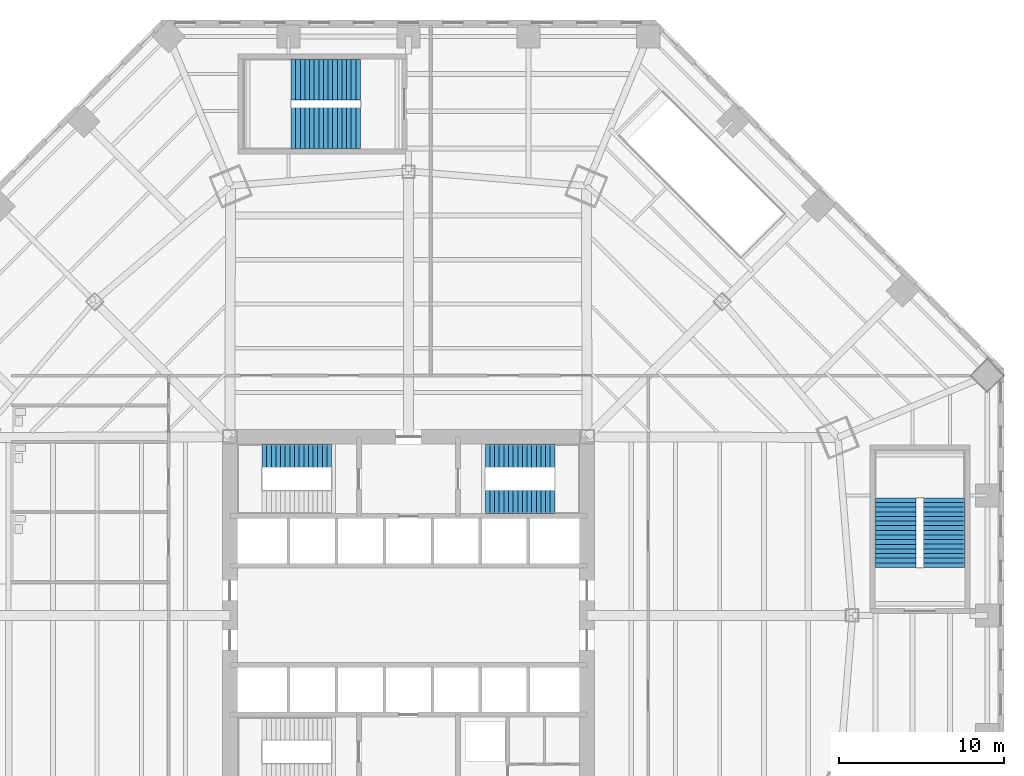
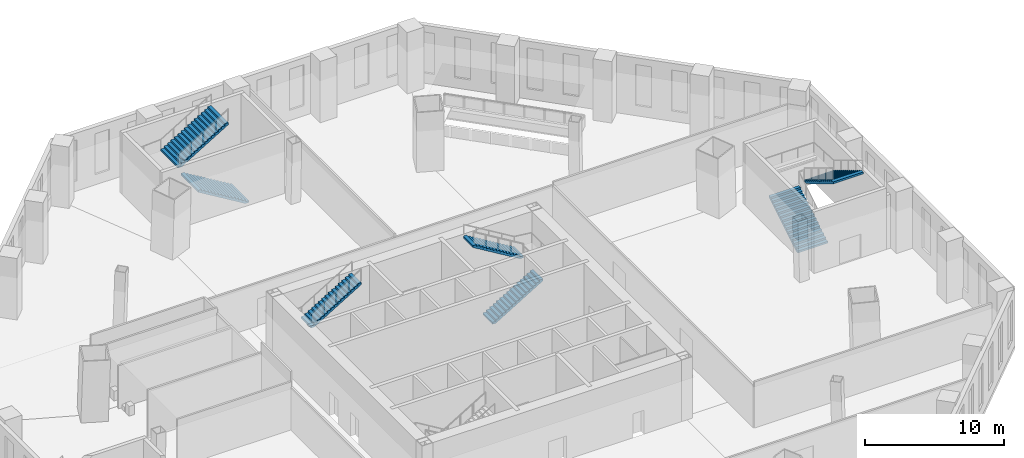
# One storey, part 14 of 18: 7 stair flights, 4 elements without a shape of their own.
"""IFC4 building model written with IfcOpenShell, lengths in metres."""

from ifc_helpers import new_model, si_unit, direction, frame, origin, place, context, subcontext, project, spatial, polyline, outline, extrude, material, type_object, element, aggregate, save


model = new_model("IFC4")

# Units and contexts
model_context = context("Model", 3, precision=1e-05, world=origin(), true_north=direction((0.0, 1.0)))
body_context = subcontext(model_context, "Body", "Model", "MODEL_VIEW")
ifc_project = project(units=[si_unit("LENGTHUNIT", "METRE"), si_unit("AREAUNIT", "SQUARE_METRE"), si_unit("VOLUMEUNIT", "CUBIC_METRE"), si_unit("PLANEANGLEUNIT", "RADIAN"), si_unit("MASSUNIT", "GRAM", prefix="KILO")], contexts=[model_context])

# Site, building, storey
site_placement = place(None, origin())
site = spatial("IfcSite", under=ifc_project, at=site_placement, CompositionType="ELEMENT")
building_placement = place(site_placement, origin())
building = spatial("IfcBuilding", under=site, at=building_placement, Name="Mashrafa Tower", CompositionType="ELEMENT")
storey_placement = place(building_placement, frame((0.0, 0.0, 13.199951171875)))
storey = spatial("IfcBuildingStorey", under=building, at=storey_placement, Name="L02", CompositionType="ELEMENT", Elevation=13.199951171875)

# Stair, stair flight
ifc_material_1 = material(Name="Exit stair 1400")
stair_type_1 = type_object("IfcStairType", Name="Exit stair 1400", PredefinedType="HALF_TURN_STAIR", material=ifc_material_1)
stair_1_placement = place(storey_placement, origin())
stair_1 = element("IfcStair", 1, at=stair_1_placement, inside=storey, type_object=stair_type_1, Name="Stair S1 L02", PredefinedType="HALF_TURN_STAIR")
ifc_material_2 = material(Name="Concrete C32/40", Category="concrete")
stair_flight_type_1 = type_object("IfcStairFlightType", Name="Stair flight 1400", PredefinedType="STRAIGHT", material=ifc_material_2)
stair_flight_1_placement = place(storey_placement, frame((-8.85009765625, 9.64990234375, 2.699951171875), z_axis=(0.0, 0.0, 1.0), x_axis=(1.0, 0.0, 0.0)))
stair_flight_1 = element("IfcStairFlight", 2, at=stair_flight_1_placement, type_object=stair_flight_type_1, Name="S1 flight 2", NumberOfRisers=16, NumberOfTreads=15, PredefinedType="STRAIGHT", RiserHeight=0.16875, TreadLength=0.28, context=body_context, shape_type="SweptSolid", body=[
    extrude(outline(polyline([(0.0, 0.0), (0.0, 0.168701171875), (0.280029296875, 0.168701171875), (0.280029296875, 0.33740234375), (0.56005859375, 0.33740234375), (0.56005859375, 0.50634765625), (0.840087890625, 0.50634765625), (0.840087890625, 0.675048828125), (1.1201171875, 0.675048828125), (1.1201171875, 0.84375), (1.39990234375, 0.84375), (1.39990234375, 1.012451171875), (1.679931640625, 1.012451171875), (1.679931640625, 1.18115234375), (1.9599609375, 1.18115234375), (1.9599609375, 1.35009765625), (2.239990234375, 1.35009765625), (2.239990234375, 1.518798828125), (2.52001953125, 1.518798828125), (2.52001953125, 1.6875), (2.800048828125, 1.6875), (2.800048828125, 1.856201171875), (3.080078125, 1.856201171875), (3.080078125, 2.02490234375), (3.360107421875, 2.02490234375), (3.360107421875, 2.19384765625), (3.639892578125, 2.19384765625), (3.639892578125, 2.362548828125), (3.919921875, 2.362548828125), (3.919921875, 2.53125), (4.199951171875, 2.53125), (4.199951171875, 2.699951171875), (4.199951171875, 2.356201171875), (0.29052734375, 0.0), (0.0, 0.0)])), frame((0.0, 0.699951171875, 0.0), z_axis=(0.0, -1.0, 0.0), x_axis=(1.0, 0.0, 0.0)), (0.0, 0.0, 1.0), 1.39990234375),
])
aggregate(stair_1, [stair_flight_1])

# Stair, stair flights
stair_2_placement = place(storey_placement, origin())
stair_2 = element("IfcStair", 3, at=stair_2_placement, inside=storey, type_object=stair_type_1, Name="Stair S2 L02", PredefinedType="HALF_TURN_STAIR")
stair_flight_2_placement = place(storey_placement, frame((4.64990234375, 6.85009765625, 0.0), z_axis=(0.0, 0.0, 1.0), x_axis=(1.0, 0.0, 0.0)))
stair_flight_2 = element("IfcStairFlight", 4, at=stair_flight_2_placement, type_object=stair_flight_type_1, Name="S2 flight 1", NumberOfRisers=16, NumberOfTreads=15, PredefinedType="STRAIGHT", RiserHeight=0.16875, TreadLength=0.28, context=body_context, shape_type="SweptSolid", body=[
    extrude(outline(polyline([(0.0, 0.0), (0.0, 0.168701171875), (0.280029296875, 0.168701171875), (0.280029296875, 0.33740234375), (0.56005859375, 0.33740234375), (0.56005859375, 0.50634765625), (0.840087890625, 0.50634765625), (0.840087890625, 0.675048828125), (1.1201171875, 0.675048828125), (1.1201171875, 0.84375), (1.39990234375, 0.84375), (1.39990234375, 1.012451171875), (1.679931640625, 1.012451171875), (1.679931640625, 1.18115234375), (1.9599609375, 1.18115234375), (1.9599609375, 1.35009765625), (2.239990234375, 1.35009765625), (2.239990234375, 1.518798828125), (2.52001953125, 1.518798828125), (2.52001953125, 1.6875), (2.800048828125, 1.6875), (2.800048828125, 1.856201171875), (3.080078125, 1.856201171875), (3.080078125, 2.02490234375), (3.360107421875, 2.02490234375), (3.360107421875, 2.19384765625), (3.639892578125, 2.19384765625), (3.639892578125, 2.362548828125), (3.919921875, 2.362548828125), (3.919921875, 2.53125), (4.199951171875, 2.53125), (4.199951171875, 2.699951171875), (4.199951171875, 2.356201171875), (0.29052734375, 0.0), (0.0, 0.0)])), frame((0.0, 0.699951171875, 0.0), z_axis=(0.0, -1.0, 0.0), x_axis=(1.0, 0.0, 0.0)), (0.0, 0.0, 1.0), 1.39990234375),
])
stair_flight_3_placement = place(storey_placement, frame((8.85009765625, 9.64990234375, 2.699951171875), z_axis=(0.0, 0.0, 1.0), x_axis=(-1.0, 0.0, 0.0)))
stair_flight_3 = element("IfcStairFlight", 5, at=stair_flight_3_placement, type_object=stair_flight_type_1, Name="S2 flight 2", NumberOfRisers=16, NumberOfTreads=15, PredefinedType="STRAIGHT", RiserHeight=0.16875, TreadLength=0.28, context=body_context, shape_type="SweptSolid", body=[
    extrude(outline(polyline([(0.0, 0.0), (0.0, 0.168701171875), (0.280029296875, 0.168701171875), (0.280029296875, 0.33740234375), (0.56005859375, 0.33740234375), (0.56005859375, 0.50634765625), (0.840087890625, 0.50634765625), (0.840087890625, 0.675048828125), (1.1201171875, 0.675048828125), (1.1201171875, 0.84375), (1.39990234375, 0.84375), (1.39990234375, 1.012451171875), (1.679931640625, 1.012451171875), (1.679931640625, 1.18115234375), (1.9599609375, 1.18115234375), (1.9599609375, 1.35009765625), (2.239990234375, 1.35009765625), (2.239990234375, 1.518798828125), (2.52001953125, 1.518798828125), (2.52001953125, 1.6875), (2.800048828125, 1.6875), (2.800048828125, 1.856201171875), (3.080078125, 1.856201171875), (3.080078125, 2.02490234375), (3.360107421875, 2.02490234375), (3.360107421875, 2.19384765625), (3.639892578125, 2.19384765625), (3.639892578125, 2.362548828125), (3.919921875, 2.362548828125), (3.919921875, 2.53125), (4.199951171875, 2.53125), (4.199951171875, 2.699951171875), (4.199951171875, 2.356201171875), (0.29052734375, 0.0), (0.0, 0.0)])), frame((0.0, 0.699951171875, 0.0), z_axis=(0.0, -1.0, 0.0), x_axis=(1.0, 0.0, 0.0)), (0.0, 0.0, 1.0), 1.39990234375),
])
aggregate(stair_2, [stair_flight_2, stair_flight_3])

ifc_material_3 = material(Name="Exit stair 2500")
stair_type_2 = type_object("IfcStairType", Name="Exit stair 2500", PredefinedType="HALF_TURN_STAIR", material=ifc_material_3)
stair_3_placement = place(storey_placement, origin())
stair_3 = element("IfcStair", 6, at=stair_3_placement, inside=storey, type_object=stair_type_2, Name="Stair P1 L02", PredefinedType="HALF_TURN_STAIR")
ifc_material_4 = material(Name="Concrete C32/40", Category="concrete")
stair_flight_type_2 = type_object("IfcStairFlightType", Name="Stair flight 2500", PredefinedType="STRAIGHT", material=ifc_material_4)
stair_flight_4_placement = place(storey_placement, frame((29.449951171875, 2.89990234375, 0.0), z_axis=(0.0, 0.0, 1.0), x_axis=(0.0, 1.0, 0.0)))
stair_flight_4 = element("IfcStairFlight", 7, at=stair_flight_4_placement, type_object=stair_flight_type_2, Name="P1 flight 1", NumberOfRisers=16, NumberOfTreads=15, PredefinedType="STRAIGHT", RiserHeight=0.16875, TreadLength=0.28, context=body_context, shape_type="SweptSolid", body=[
    extrude(outline(polyline([(0.0, 0.0), (0.0, 0.168701171875), (0.280029296875, 0.168701171875), (0.280029296875, 0.33740234375), (0.56005859375, 0.33740234375), (0.56005859375, 0.50634765625), (0.840087890625, 0.50634765625), (0.840087890625, 0.675048828125), (1.1201171875, 0.675048828125), (1.1201171875, 0.84375), (1.39990234375, 0.84375), (1.39990234375, 1.012451171875), (1.679931640625, 1.012451171875), (1.679931640625, 1.18115234375), (1.9599609375, 1.18115234375), (1.9599609375, 1.35009765625), (2.239990234375, 1.35009765625), (2.239990234375, 1.518798828125), (2.52001953125, 1.518798828125), (2.52001953125, 1.6875), (2.800048828125, 1.6875), (2.800048828125, 1.856201171875), (3.080078125, 1.856201171875), (3.080078125, 2.02490234375), (3.360107421875, 2.02490234375), (3.360107421875, 2.19384765625), (3.639892578125, 2.19384765625), (3.639892578125, 2.362548828125), (3.919921875, 2.362548828125), (3.919921875, 2.53125), (4.199951171875, 2.53125), (4.199951171875, 2.699951171875), (4.199951171875, 2.356201171875), (0.29052734375, 0.0), (0.0, 0.0)])), frame((0.0, 1.25, 0.0), z_axis=(0.0, -1.0, 0.0), x_axis=(1.0, 0.0, 0.0)), (0.0, 0.0, 1.0), 2.5),
])
stair_flight_5_placement = place(storey_placement, frame((32.39990234375, 7.10009765625, 2.699951171875), z_axis=(0.0, 0.0, 1.0), x_axis=(0.0, -1.0, 0.0)))
stair_flight_5 = element("IfcStairFlight", 8, at=stair_flight_5_placement, type_object=stair_flight_type_2, Name="P1 flight 2", NumberOfRisers=16, NumberOfTreads=15, PredefinedType="STRAIGHT", RiserHeight=0.16875, TreadLength=0.28, context=body_context, shape_type="SweptSolid", body=[
    extrude(outline(polyline([(0.0, 0.0), (0.0, 0.168701171875), (0.280029296875, 0.168701171875), (0.280029296875, 0.33740234375), (0.56005859375, 0.33740234375), (0.56005859375, 0.50634765625), (0.840087890625, 0.50634765625), (0.840087890625, 0.675048828125), (1.1201171875, 0.675048828125), (1.1201171875, 0.84375), (1.39990234375, 0.84375), (1.39990234375, 1.012451171875), (1.679931640625, 1.012451171875), (1.679931640625, 1.18115234375), (1.9599609375, 1.18115234375), (1.9599609375, 1.35009765625), (2.239990234375, 1.35009765625), (2.239990234375, 1.518798828125), (2.52001953125, 1.518798828125), (2.52001953125, 1.6875), (2.800048828125, 1.6875), (2.800048828125, 1.856201171875), (3.080078125, 1.856201171875), (3.080078125, 2.02490234375), (3.360107421875, 2.02490234375), (3.360107421875, 2.19384765625), (3.639892578125, 2.19384765625), (3.639892578125, 2.362548828125), (3.919921875, 2.362548828125), (3.919921875, 2.53125), (4.199951171875, 2.53125), (4.199951171875, 2.699951171875), (4.199951171875, 2.356201171875), (0.29052734375, 0.0), (0.0, 0.0)])), frame((0.0, 1.25, 0.0), z_axis=(0.0, -1.0, 0.0), x_axis=(1.0, 0.0, 0.0)), (0.0, 0.0, 1.0), 2.5),
])
aggregate(stair_3, [stair_flight_4, stair_flight_5])

stair_4_placement = place(storey_placement, origin())
stair_4 = element("IfcStair", 9, at=stair_4_placement, inside=storey, type_object=stair_type_2, Name="Stair P2 L02", PredefinedType="HALF_TURN_STAIR")
stair_flight_6_placement = place(storey_placement, frame((-2.89990234375, 29.449951171875, 0.0), z_axis=(0.0, 0.0, 1.0), x_axis=(-1.0, 0.0, 0.0)))
stair_flight_6 = element("IfcStairFlight", 10, at=stair_flight_6_placement, type_object=stair_flight_type_2, Name="P2 flight 1", NumberOfRisers=16, NumberOfTreads=15, PredefinedType="STRAIGHT", RiserHeight=0.16875, TreadLength=0.28, context=body_context, shape_type="SweptSolid", body=[
    extrude(outline(polyline([(0.0, 0.0), (0.0, 0.168701171875), (0.280029296875, 0.168701171875), (0.280029296875, 0.33740234375), (0.56005859375, 0.33740234375), (0.56005859375, 0.50634765625), (0.840087890625, 0.50634765625), (0.840087890625, 0.675048828125), (1.1201171875, 0.675048828125), (1.1201171875, 0.84375), (1.39990234375, 0.84375), (1.39990234375, 1.012451171875), (1.679931640625, 1.012451171875), (1.679931640625, 1.18115234375), (1.9599609375, 1.18115234375), (1.9599609375, 1.35009765625), (2.239990234375, 1.35009765625), (2.239990234375, 1.518798828125), (2.52001953125, 1.518798828125), (2.52001953125, 1.6875), (2.800048828125, 1.6875), (2.800048828125, 1.856201171875), (3.080078125, 1.856201171875), (3.080078125, 2.02490234375), (3.360107421875, 2.02490234375), (3.360107421875, 2.19384765625), (3.639892578125, 2.19384765625), (3.639892578125, 2.362548828125), (3.919921875, 2.362548828125), (3.919921875, 2.53125), (4.199951171875, 2.53125), (4.199951171875, 2.699951171875), (4.199951171875, 2.356201171875), (0.29052734375, 0.0), (0.0, 0.0)])), frame((0.0, 1.25, 0.0), z_axis=(0.0, -1.0, 0.0), x_axis=(1.0, 0.0, 0.0)), (0.0, 0.0, 1.0), 2.5),
])
stair_flight_7_placement = place(storey_placement, frame((-7.10009765625, 32.39990234375, 2.699951171875), z_axis=(0.0, 0.0, 1.0), x_axis=(1.0, 0.0, 0.0)))
stair_flight_7 = element("IfcStairFlight", 11, at=stair_flight_7_placement, type_object=stair_flight_type_2, Name="P2 flight 2", NumberOfRisers=16, NumberOfTreads=15, PredefinedType="STRAIGHT", RiserHeight=0.16875, TreadLength=0.28, context=body_context, shape_type="SweptSolid", body=[
    extrude(outline(polyline([(0.0, 0.0), (0.0, 0.168701171875), (0.280029296875, 0.168701171875), (0.280029296875, 0.33740234375), (0.56005859375, 0.33740234375), (0.56005859375, 0.50634765625), (0.840087890625, 0.50634765625), (0.840087890625, 0.675048828125), (1.1201171875, 0.675048828125), (1.1201171875, 0.84375), (1.39990234375, 0.84375), (1.39990234375, 1.012451171875), (1.679931640625, 1.012451171875), (1.679931640625, 1.18115234375), (1.9599609375, 1.18115234375), (1.9599609375, 1.35009765625), (2.239990234375, 1.35009765625), (2.239990234375, 1.518798828125), (2.52001953125, 1.518798828125), (2.52001953125, 1.6875), (2.800048828125, 1.6875), (2.800048828125, 1.856201171875), (3.080078125, 1.856201171875), (3.080078125, 2.02490234375), (3.360107421875, 2.02490234375), (3.360107421875, 2.19384765625), (3.639892578125, 2.19384765625), (3.639892578125, 2.362548828125), (3.919921875, 2.362548828125), (3.919921875, 2.53125), (4.199951171875, 2.53125), (4.199951171875, 2.699951171875), (4.199951171875, 2.356201171875), (0.29052734375, 0.0), (0.0, 0.0)])), frame((0.0, 1.25, 0.0), z_axis=(0.0, -1.0, 0.0), x_axis=(1.0, 0.0, 0.0)), (0.0, 0.0, 1.0), 2.5),
])
aggregate(stair_4, [stair_flight_6, stair_flight_7])

save(model, "model.ifc")
